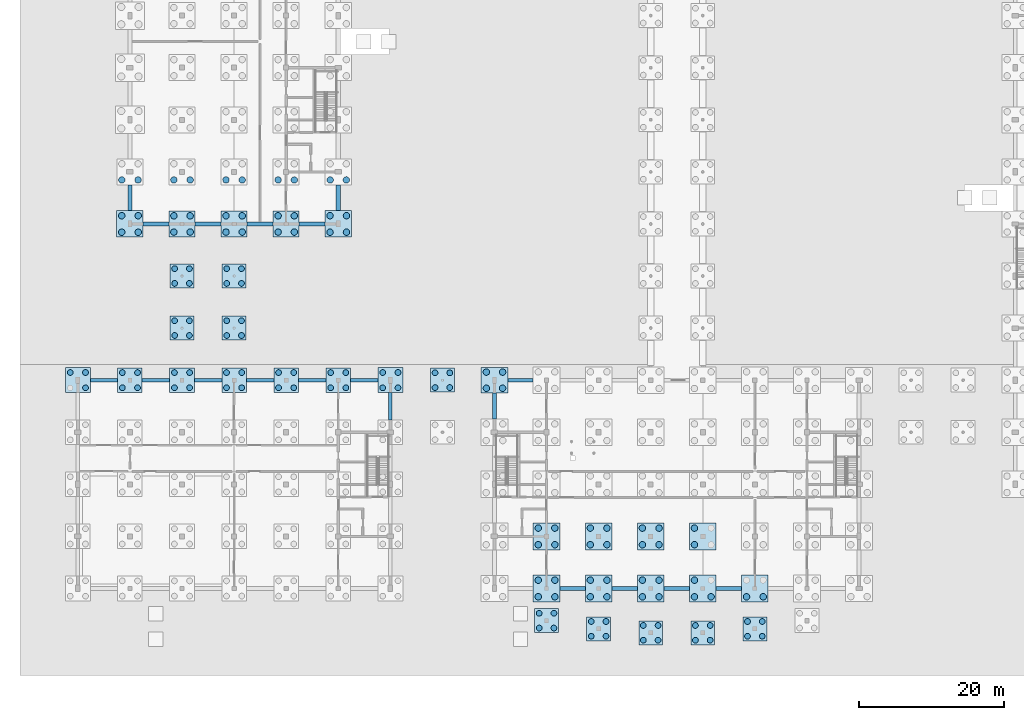
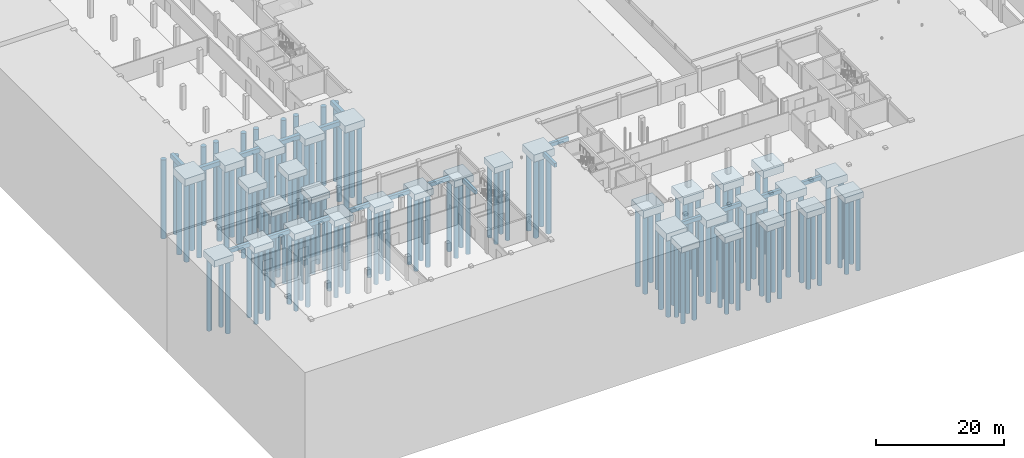
# One storey, part 2 of 51: 132 piles, 51 footings.
"""IFC4 building model written with IfcOpenShell, lengths in metres."""

from ifc_helpers import new_model, si_unit, direction, frame, origin, origin_2d, place, context, subcontext, project, spatial, rectangle, circle, extrude, material, material_profile, profile_set, type_object, element, save


model = new_model("IFC4")

# Units and contexts
model_context = context("Model", 3, precision=1e-05, world=origin(), true_north=direction((0.0, 1.0)))
body_context = subcontext(model_context, "Body", "Model", "MODEL_VIEW")
ifc_project = project(units=[si_unit("LENGTHUNIT", "METRE"), si_unit("AREAUNIT", "SQUARE_METRE"), si_unit("VOLUMEUNIT", "CUBIC_METRE"), si_unit("PLANEANGLEUNIT", "RADIAN"), si_unit("MASSUNIT", "GRAM", prefix="KILO")], contexts=[model_context])

# Site, building, storey
site_placement = place(None, origin())
site = spatial("IfcSite", under=ifc_project, at=site_placement, CompositionType="ELEMENT")
building_placement = place(site_placement, origin())
building = spatial("IfcBuilding", under=site, at=building_placement, Name="Zlatovets Crest Museum", CompositionType="ELEMENT")
storey_placement = place(building_placement, frame((0.0, 0.0, -4.5)))
storey = spatial("IfcBuildingStorey", under=building, at=storey_placement, Name="B1", CompositionType="ELEMENT", Elevation=-4.5)

# Piles
ifc_material = material(Name="Concrete C35/45", Category="concrete")
ifc_material_profile_1 = material_profile(ifc_material, circle(Radius=0.39990234375, at=origin_2d()), Name="PILE D800")
ifc_profile_set_1 = profile_set([ifc_material_profile_1], Name="Concrete C35/45")
pile_type_1 = type_object("IfcPileType", Name="BoredPile_PL-01", PredefinedType="BORED", material=ifc_profile_set_1)
for number, where, z_axis, x_axis, name in (
    (1, (-1.06005859375, 29.860107421875, -1.5), (0.0, 0.0, -1.0), (1.0, 0.0, 0.0), "Bored pile PL-01 V3-X00Y04.2"),
    (2, (1.06005859375, 27.739990234375, -1.5), (0.0, 0.0, -1.0), (1.0, 0.0, 0.0), "Bored pile PL-01 V3-X00Y04.3"),
    (3, (1.06005859375, 29.860107421875, -1.5), (0.0, 0.0, -1.0), (1.0, 0.0, 0.0), "Bored pile PL-01 V3-X00Y04.4"),
    (4, (6.14990234375, 27.75, -1.449951171875), (0.0, 0.0, -1.0), (1.0, 0.0, 0.0), "Bored pile PL-01 V3-X01Y04.1"),
    (5, (6.14990234375, 29.85009765625, -1.449951171875), (0.0, 0.0, -1.0), (1.0, 0.0, 0.0), "Bored pile PL-01 V3-X01Y04.2"),
    (6, (8.25, 27.75, -1.449951171875), (0.0, 0.0, -1.0), (1.0, 0.0, 0.0), "Bored pile PL-01 V3-X01Y04.3"),
    (7, (8.25, 29.85009765625, -1.449951171875), (0.0, 0.0, -1.0), (1.0, 0.0, 0.0), "Bored pile PL-01 V3-X01Y04.4"),
    (8, (13.35009765625, 27.75, -1.449951171875), (0.0, 0.0, -1.0), (1.0, 0.0, 0.0), "Bored pile PL-01 V3-X02Y04.1"),
    (9, (13.35009765625, 29.85009765625, -1.449951171875), (0.0, 0.0, -1.0), (1.0, 0.0, 0.0), "Bored pile PL-01 V3-X02Y04.2"),
    (10, (15.449951171875, 27.75, -1.449951171875), (0.0, 0.0, -1.0), (1.0, 0.0, 0.0), "Bored pile PL-01 V3-X02Y04.3"),
    (11, (15.449951171875, 29.85009765625, -1.449951171875), (0.0, 0.0, -1.0), (1.0, 0.0, 0.0), "Bored pile PL-01 V3-X02Y04.4"),
    (12, (20.550048828125, 27.75, -1.449951171875), (0.0, 0.0, -1.0), (1.0, 0.0, 0.0), "Bored pile PL-01 V3-X03Y04.1"),
    (13, (20.550048828125, 29.85009765625, -1.449951171875), (0.0, 0.0, -1.0), (1.0, 0.0, 0.0), "Bored pile PL-01 V3-X03Y04.2"),
    (14, (22.64990234375, 27.75, -1.449951171875), (0.0, 0.0, -1.0), (1.0, 0.0, 0.0), "Bored pile PL-01 V3-X03Y04.3"),
    (15, (22.64990234375, 29.85009765625, -1.449951171875), (0.0, 0.0, -1.0), (1.0, 0.0, 0.0), "Bored pile PL-01 V3-X03Y04.4"),
    (16, (27.75, 27.75, -1.449951171875), (0.0, 0.0, -1.0), (1.0, 0.0, 0.0), "Bored pile PL-01 V3-X04Y04.1"),
    (17, (27.75, 29.85009765625, -1.449951171875), (0.0, 0.0, -1.0), (1.0, 0.0, 0.0), "Bored pile PL-01 V3-X04Y04.2"),
    (18, (29.85009765625, 27.75, -1.449951171875), (0.0, 0.0, -1.0), (1.0, 0.0, 0.0), "Bored pile PL-01 V3-X04Y04.3"),
    (19, (29.85009765625, 29.85009765625, -1.449951171875), (0.0, 0.0, -1.0), (1.0, 0.0, 0.0), "Bored pile PL-01 V3-X04Y04.4"),
    (20, (34.949951171875, 27.75, -1.449951171875), (0.0, 0.0, -1.0), (1.0, 0.0, 0.0), "Bored pile PL-01 V3-X05Y04.1"),
    (21, (34.949951171875, 29.85009765625, -1.449951171875), (0.0, 0.0, -1.0), (1.0, 0.0, 0.0), "Bored pile PL-01 V3-X05Y04.2"),
    (22, (37.050048828125, 27.75, -1.449951171875), (0.0, 0.0, -1.0), (1.0, 0.0, 0.0), "Bored pile PL-01 V3-X05Y04.3"),
    (23, (37.050048828125, 29.85009765625, -1.449951171875), (0.0, 0.0, -1.0), (1.0, 0.0, 0.0), "Bored pile PL-01 V3-X05Y04.4"),
    (24, (42.139892578125, 27.739990234375, -1.5), (0.0, 0.0, -1.0), (1.0, 0.0, 0.0), "Bored pile PL-01 V3-X06Y04.1"),
    (25, (42.139892578125, 29.860107421875, -1.5), (0.0, 0.0, -1.0), (1.0, 0.0, 0.0), "Bored pile PL-01 V3-X06Y04.2"),
    (26, (44.260009765625, 27.739990234375, -1.5), (0.0, 0.0, -1.0), (1.0, 0.0, 0.0), "Bored pile PL-01 V3-X06Y04.3"),
    (27, (44.260009765625, 29.860107421875, -1.5), (0.0, 0.0, -1.0), (1.0, 0.0, 0.0), "Bored pile PL-01 V3-X06Y04.4"),
    (28, (49.3798828125, 27.780029296875, -1.39990234375), (0.0, 0.0, -1.0), (1.0, 0.0, 0.0), "Bored pile PL-01 BR1-S1T1.1"),
    (29, (49.3798828125, 29.820068359375, -1.39990234375), (0.0, 0.0, -1.0), (1.0, 0.0, 0.0), "Bored pile PL-01 BR1-S1T1.2"),
    (30, (51.419921875, 27.780029296875, -1.39990234375), (0.0, 0.0, -1.0), (1.0, 0.0, 0.0), "Bored pile PL-01 BR1-S1T1.3"),
    (31, (51.419921875, 29.820068359375, -1.39990234375), (0.0, 0.0, -1.0), (1.0, 0.0, 0.0), "Bored pile PL-01 BR1-S1T1.4"),
    (32, (13.3798828125, 34.97998046875, -1.39990234375), (0.0, 0.0, -1.0), (1.0, 0.0, 0.0), "Bored pile PL-01 BR2-S1T0.1"),
    (33, (13.3798828125, 37.02001953125, -1.39990234375), (0.0, 0.0, -1.0), (1.0, 0.0, 0.0), "Bored pile PL-01 BR2-S1T0.2"),
    (34, (15.419921875, 34.97998046875, -1.39990234375), (0.0, 0.0, -1.0), (1.0, 0.0, 0.0), "Bored pile PL-01 BR2-S1T0.3"),
    (35, (15.419921875, 37.02001953125, -1.39990234375), (0.0, 0.0, -1.0), (1.0, 0.0, 0.0), "Bored pile PL-01 BR2-S1T0.4"),
    (36, (20.580078125, 34.97998046875, -1.39990234375), (0.0, 0.0, -1.0), (1.0, 0.0, 0.0), "Bored pile PL-01 BR2-S1T1.1"),
    (37, (20.580078125, 37.02001953125, -1.39990234375), (0.0, 0.0, -1.0), (1.0, 0.0, 0.0), "Bored pile PL-01 BR2-S1T1.2"),
    (38, (22.6201171875, 34.97998046875, -1.39990234375), (0.0, 0.0, -1.0), (1.0, 0.0, 0.0), "Bored pile PL-01 BR2-S1T1.3"),
    (39, (22.6201171875, 37.02001953125, -1.39990234375), (0.0, 0.0, -1.0), (1.0, 0.0, 0.0), "Bored pile PL-01 BR2-S1T1.4"),
    (40, (13.3798828125, 42.179931640625, -1.39990234375), (0.0, 0.0, -1.0), (1.0, 0.0, 0.0), "Bored pile PL-01 BR2-S2T0.1"),
    (41, (13.3798828125, 44.219970703125, -1.39990234375), (0.0, 0.0, -1.0), (1.0, 0.0, 0.0), "Bored pile PL-01 BR2-S2T0.2"),
    (42, (15.419921875, 42.179931640625, -1.39990234375), (0.0, 0.0, -1.0), (1.0, 0.0, 0.0), "Bored pile PL-01 BR2-S2T0.3"),
    (43, (15.419921875, 44.219970703125, -1.39990234375), (0.0, 0.0, -1.0), (1.0, 0.0, 0.0), "Bored pile PL-01 BR2-S2T0.4"),
    (44, (20.580078125, 42.179931640625, -1.39990234375), (0.0, 0.0, -1.0), (1.0, 0.0, 0.0), "Bored pile PL-01 BR2-S2T1.1"),
    (45, (20.580078125, 44.219970703125, -1.39990234375), (0.0, 0.0, -1.0), (1.0, 0.0, 0.0), "Bored pile PL-01 BR2-S2T1.2"),
    (46, (22.6201171875, 42.179931640625, -1.39990234375), (0.0, 0.0, -1.0), (1.0, 0.0, 0.0), "Bored pile PL-01 BR2-S2T1.3"),
    (47, (22.6201171875, 44.219970703125, -1.39990234375), (0.0, 0.0, -1.0), (1.0, 0.0, 0.0), "Bored pile PL-01 BR2-S2T1.4"),
    (48, (63.780029296875, -5.468505859375, -1.39990234375), (0.0, 0.0, -1.0), (1.0, 0.0, 0.0), "Bored pile PL-01 CAN-64.8.1"),
    (49, (63.780029296875, -3.4287109375, -1.39990234375), (0.0, 0.0, -1.0), (1.0, 0.0, 0.0), "Bored pile PL-01 CAN-64.8.2"),
    (50, (65.820068359375, -5.468505859375, -1.39990234375), (0.0, 0.0, -1.0), (1.0, 0.0, 0.0), "Bored pile PL-01 CAN-64.8.3"),
    (51, (65.820068359375, -3.4287109375, -1.39990234375), (0.0, 0.0, -1.0), (1.0, 0.0, 0.0), "Bored pile PL-01 CAN-64.8.4"),
    (52, (70.97998046875, -6.6044921875, -1.39990234375), (0.0, 0.0, -1.0), (1.0, 0.0, 0.0), "Bored pile PL-01 CAN-72.0.1"),
    (53, (70.97998046875, -4.564697265625, -1.39990234375), (0.0, 0.0, -1.0), (1.0, 0.0, 0.0), "Bored pile PL-01 CAN-72.0.2"),
    (54, (73.02001953125, -6.6044921875, -1.39990234375), (0.0, 0.0, -1.0), (1.0, 0.0, 0.0), "Bored pile PL-01 CAN-72.0.3"),
    (55, (73.02001953125, -4.564697265625, -1.39990234375), (0.0, 0.0, -1.0), (1.0, 0.0, 0.0), "Bored pile PL-01 CAN-72.0.4"),
    (56, (78.179931640625, -7.15234375, -1.39990234375), (0.0, 0.0, -1.0), (1.0, 0.0, 0.0), "Bored pile PL-01 CAN-79.2.1"),
    (57, (78.179931640625, -5.1123046875, -1.39990234375), (0.0, 0.0, -1.0), (1.0, 0.0, 0.0), "Bored pile PL-01 CAN-79.2.2"),
    (58, (80.219970703125, -7.15234375, -1.39990234375), (0.0, 0.0, -1.0), (1.0, 0.0, 0.0), "Bored pile PL-01 CAN-79.2.3"),
    (59, (80.219970703125, -5.1123046875, -1.39990234375), (0.0, 0.0, -1.0), (1.0, 0.0, 0.0), "Bored pile PL-01 CAN-79.2.4"),
    (60, (85.3798828125, -7.15234375, -1.39990234375), (0.0, 0.0, -1.0), (1.0, 0.0, 0.0), "Bored pile PL-01 CAN-86.4.1"),
    (61, (85.3798828125, -5.1123046875, -1.39990234375), (0.0, 0.0, -1.0), (1.0, 0.0, 0.0), "Bored pile PL-01 CAN-86.4.2"),
    (62, (87.419921875, -7.15234375, -1.39990234375), (0.0, 0.0, -1.0), (1.0, 0.0, 0.0), "Bored pile PL-01 CAN-86.4.3"),
    (63, (87.419921875, -5.1123046875, -1.39990234375), (0.0, 0.0, -1.0), (1.0, 0.0, 0.0), "Bored pile PL-01 CAN-86.4.4"),
    (64, (92.580078125, -6.6044921875, -1.39990234375), (0.0, 0.0, -1.0), (1.0, 0.0, 0.0), "Bored pile PL-01 CAN-93.6.1"),
    (65, (92.580078125, -4.564697265625, -1.39990234375), (0.0, 0.0, -1.0), (1.0, 0.0, 0.0), "Bored pile PL-01 CAN-93.6.2"),
    (66, (94.6201171875, -6.6044921875, -1.39990234375), (0.0, 0.0, -1.0), (1.0, 0.0, 0.0), "Bored pile PL-01 CAN-93.6.3"),
    (67, (94.6201171875, -4.564697265625, -1.39990234375), (0.0, 0.0, -1.0), (1.0, 0.0, 0.0), "Bored pile PL-01 CAN-93.6.4"),
):
    element("IfcPile", number, at=place(storey_placement, frame(where, z_axis=z_axis, x_axis=x_axis)), inside=storey, type_object=pile_type_1, Name=name, PredefinedType="BORED", context=body_context, shape_type="SweptSolid", body=[
        extrude(circle(Radius=0.39990234375, at=origin_2d()), origin(), (0.0, 0.0, 1.0), 14.0),
    ])
ifc_material_profile_2 = material_profile(ifc_material, circle(Radius=0.449951171875, at=origin_2d()), Name="PILE D900")
ifc_profile_set_2 = profile_set([ifc_material_profile_2], Name="Concrete C35/45")
pile_type_2 = type_object("IfcPileType", Name="BoredPile_PL-02", PredefinedType="BORED", material=ifc_profile_set_2)
for number, where, z_axis, x_axis, name in (
    (68, (56.47998046875, 27.679931640625, -1.60009765625), (0.0, 0.0, -1.0), (1.0, 0.0, 0.0), "Bored pile PL-02 V2-X00Y04.1"),
    (69, (56.47998046875, 29.919921875, -1.60009765625), (0.0, 0.0, -1.0), (1.0, 0.0, 0.0), "Bored pile PL-02 V2-X00Y04.2"),
    (70, (58.719970703125, 27.679931640625, -1.60009765625), (0.0, 0.0, -1.0), (1.0, 0.0, 0.0), "Bored pile PL-02 V2-X00Y04.3"),
    (71, (58.719970703125, 29.919921875, -1.60009765625), (0.0, 0.0, -1.0), (1.0, 0.0, 0.0), "Bored pile PL-02 V2-X00Y04.4"),
    (72, (63.64990234375, -1.14990234375, -1.64990234375), (0.0, 0.0, -1.0), (1.0, 0.0, 0.0), "Bored pile PL-02 V2-X01Y00.1"),
    (73, (63.64990234375, 1.14990234375, -1.64990234375), (0.0, 0.0, -1.0), (1.0, 0.0, 0.0), "Bored pile PL-02 V2-X01Y00.2"),
    (74, (65.949951171875, -1.14990234375, -1.64990234375), (0.0, 0.0, -1.0), (1.0, 0.0, 0.0), "Bored pile PL-02 V2-X01Y00.3"),
    (75, (65.949951171875, 1.14990234375, -1.64990234375), (0.0, 0.0, -1.0), (1.0, 0.0, 0.0), "Bored pile PL-02 V2-X01Y00.4"),
    (76, (63.64990234375, 6.050048828125, -1.64990234375), (0.0, 0.0, -1.0), (1.0, 0.0, 0.0), "Bored pile PL-02 V2-X01Y01.1"),
    (77, (63.64990234375, 8.35009765625, -1.64990234375), (0.0, 0.0, -1.0), (1.0, 0.0, 0.0), "Bored pile PL-02 V2-X01Y01.2"),
    (78, (65.949951171875, 6.050048828125, -1.64990234375), (0.0, 0.0, -1.0), (1.0, 0.0, 0.0), "Bored pile PL-02 V2-X01Y01.3"),
    (79, (65.949951171875, 8.35009765625, -1.64990234375), (0.0, 0.0, -1.0), (1.0, 0.0, 0.0), "Bored pile PL-02 V2-X01Y01.4"),
    (80, (70.85009765625, -1.14990234375, -1.64990234375), (0.0, 0.0, -1.0), (1.0, 0.0, 0.0), "Bored pile PL-02 V2-X02Y00.1"),
    (81, (70.85009765625, 1.14990234375, -1.64990234375), (0.0, 0.0, -1.0), (1.0, 0.0, 0.0), "Bored pile PL-02 V2-X02Y00.2"),
    (82, (73.14990234375, -1.14990234375, -1.64990234375), (0.0, 0.0, -1.0), (1.0, 0.0, 0.0), "Bored pile PL-02 V2-X02Y00.3"),
    (83, (73.14990234375, 1.14990234375, -1.64990234375), (0.0, 0.0, -1.0), (1.0, 0.0, 0.0), "Bored pile PL-02 V2-X02Y00.4"),
    (84, (70.85009765625, 6.050048828125, -1.64990234375), (0.0, 0.0, -1.0), (1.0, 0.0, 0.0), "Bored pile PL-02 V2-X02Y01.1"),
    (85, (70.85009765625, 8.35009765625, -1.64990234375), (0.0, 0.0, -1.0), (1.0, 0.0, 0.0), "Bored pile PL-02 V2-X02Y01.2"),
    (86, (73.14990234375, 6.050048828125, -1.64990234375), (0.0, 0.0, -1.0), (1.0, 0.0, 0.0), "Bored pile PL-02 V2-X02Y01.3"),
    (87, (73.14990234375, 8.35009765625, -1.64990234375), (0.0, 0.0, -1.0), (1.0, 0.0, 0.0), "Bored pile PL-02 V2-X02Y01.4"),
    (88, (78.050048828125, -1.14990234375, -1.64990234375), (0.0, 0.0, -1.0), (1.0, 0.0, 0.0), "Bored pile PL-02 V2-X03Y00.1"),
    (89, (78.050048828125, 1.14990234375, -1.64990234375), (0.0, 0.0, -1.0), (1.0, 0.0, 0.0), "Bored pile PL-02 V2-X03Y00.2"),
    (90, (80.35009765625, -1.14990234375, -1.64990234375), (0.0, 0.0, -1.0), (1.0, 0.0, 0.0), "Bored pile PL-02 V2-X03Y00.3"),
    (91, (80.35009765625, 1.14990234375, -1.64990234375), (0.0, 0.0, -1.0), (1.0, 0.0, 0.0), "Bored pile PL-02 V2-X03Y00.4"),
    (92, (78.050048828125, 6.050048828125, -1.64990234375), (0.0, 0.0, -1.0), (1.0, 0.0, 0.0), "Bored pile PL-02 V2-X03Y01.1"),
    (93, (78.050048828125, 8.35009765625, -1.64990234375), (0.0, 0.0, -1.0), (1.0, 0.0, 0.0), "Bored pile PL-02 V2-X03Y01.2"),
    (94, (80.35009765625, 6.050048828125, -1.64990234375), (0.0, 0.0, -1.0), (1.0, 0.0, 0.0), "Bored pile PL-02 V2-X03Y01.3"),
    (95, (80.35009765625, 8.35009765625, -1.64990234375), (0.0, 0.0, -1.0), (1.0, 0.0, 0.0), "Bored pile PL-02 V2-X03Y01.4"),
    (96, (85.25, -1.14990234375, -1.64990234375), (0.0, 0.0, -1.0), (1.0, 0.0, 0.0), "Bored pile PL-02 V2-X04Y00.1"),
    (97, (85.25, 1.14990234375, -1.64990234375), (0.0, 0.0, -1.0), (1.0, 0.0, 0.0), "Bored pile PL-02 V2-X04Y00.2"),
    (98, (87.550048828125, -1.14990234375, -1.64990234375), (0.0, 0.0, -1.0), (1.0, 0.0, 0.0), "Bored pile PL-02 V2-X04Y00.3"),
    (99, (85.25, 6.050048828125, -1.64990234375), (0.0, 0.0, -1.0), (1.0, 0.0, 0.0), "Bored pile PL-02 V2-X04Y01.1"),
    (100, (85.25, 8.35009765625, -1.64990234375), (0.0, 0.0, -1.0), (1.0, 0.0, 0.0), "Bored pile PL-02 V2-X04Y01.2"),
    (101, (92.449951171875, -1.14990234375, -1.64990234375), (0.0, 0.0, -1.0), (1.0, 0.0, 0.0), "Bored pile PL-02 V2-X05Y00.1"),
    (102, (94.75, -1.14990234375, -1.64990234375), (0.0, 0.0, -1.0), (1.0, 0.0, 0.0), "Bored pile PL-02 V2-X05Y00.3"),
    (103, (6.06005859375, 49.260009765625, -1.60009765625), (0.0, 0.0, -1.0), (1.0, 0.0, 0.0), "Bored pile PL-02 V4-X00Y00.1"),
    (104, (6.06005859375, 51.5400390625, -1.60009765625), (0.0, 0.0, -1.0), (1.0, 0.0, 0.0), "Bored pile PL-02 V4-X00Y00.2"),
    (105, (8.340087890625, 49.260009765625, -1.60009765625), (0.0, 0.0, -1.0), (1.0, 0.0, 0.0), "Bored pile PL-02 V4-X00Y00.3"),
    (106, (8.340087890625, 51.5400390625, -1.60009765625), (0.0, 0.0, -1.0), (1.0, 0.0, 0.0), "Bored pile PL-02 V4-X00Y00.4"),
    (107, (6.080078125, 56.47998046875, -1.550048828125), (0.0, 0.0, -1.0), (1.0, 0.0, 0.0), "Bored pile PL-02 V4-X00Y01.1"),
    (108, (8.320068359375, 56.47998046875, -1.550048828125), (0.0, 0.0, -1.0), (1.0, 0.0, 0.0), "Bored pile PL-02 V4-X00Y01.3"),
    (109, (13.280029296875, 49.280029296875, -1.550048828125), (0.0, 0.0, -1.0), (1.0, 0.0, 0.0), "Bored pile PL-02 V4-X01Y00.1"),
    (110, (13.280029296875, 51.52001953125, -1.550048828125), (0.0, 0.0, -1.0), (1.0, 0.0, 0.0), "Bored pile PL-02 V4-X01Y00.2"),
    (111, (15.52001953125, 49.280029296875, -1.550048828125), (0.0, 0.0, -1.0), (1.0, 0.0, 0.0), "Bored pile PL-02 V4-X01Y00.3"),
    (112, (15.52001953125, 51.52001953125, -1.550048828125), (0.0, 0.0, -1.0), (1.0, 0.0, 0.0), "Bored pile PL-02 V4-X01Y00.4"),
    (113, (13.280029296875, 56.47998046875, -1.550048828125), (0.0, 0.0, -1.0), (1.0, 0.0, 0.0), "Bored pile PL-02 V4-X01Y01.1"),
    (114, (15.52001953125, 56.47998046875, -1.550048828125), (0.0, 0.0, -1.0), (1.0, 0.0, 0.0), "Bored pile PL-02 V4-X01Y01.3"),
    (115, (20.47998046875, 49.280029296875, -1.550048828125), (0.0, 0.0, -1.0), (1.0, 0.0, 0.0), "Bored pile PL-02 V4-X02Y00.1"),
    (116, (20.47998046875, 51.52001953125, -1.550048828125), (0.0, 0.0, -1.0), (1.0, 0.0, 0.0), "Bored pile PL-02 V4-X02Y00.2"),
    (117, (22.719970703125, 49.280029296875, -1.550048828125), (0.0, 0.0, -1.0), (1.0, 0.0, 0.0), "Bored pile PL-02 V4-X02Y00.3"),
    (118, (22.719970703125, 51.52001953125, -1.550048828125), (0.0, 0.0, -1.0), (1.0, 0.0, 0.0), "Bored pile PL-02 V4-X02Y00.4"),
    (119, (20.47998046875, 56.47998046875, -1.550048828125), (0.0, 0.0, -1.0), (1.0, 0.0, 0.0), "Bored pile PL-02 V4-X02Y01.1"),
    (120, (22.719970703125, 56.47998046875, -1.550048828125), (0.0, 0.0, -1.0), (1.0, 0.0, 0.0), "Bored pile PL-02 V4-X02Y01.3"),
    (121, (27.679931640625, 49.280029296875, -1.550048828125), (0.0, 0.0, -1.0), (1.0, 0.0, 0.0), "Bored pile PL-02 V4-X03Y00.1"),
    (122, (27.679931640625, 51.52001953125, -1.550048828125), (0.0, 0.0, -1.0), (1.0, 0.0, 0.0), "Bored pile PL-02 V4-X03Y00.2"),
    (123, (29.919921875, 49.280029296875, -1.550048828125), (0.0, 0.0, -1.0), (1.0, 0.0, 0.0), "Bored pile PL-02 V4-X03Y00.3"),
    (124, (29.919921875, 51.52001953125, -1.550048828125), (0.0, 0.0, -1.0), (1.0, 0.0, 0.0), "Bored pile PL-02 V4-X03Y00.4"),
    (125, (27.679931640625, 56.47998046875, -1.550048828125), (0.0, 0.0, -1.0), (1.0, 0.0, 0.0), "Bored pile PL-02 V4-X03Y01.1"),
    (126, (29.919921875, 56.47998046875, -1.550048828125), (0.0, 0.0, -1.0), (1.0, 0.0, 0.0), "Bored pile PL-02 V4-X03Y01.3"),
    (127, (34.860107421875, 49.260009765625, -1.60009765625), (0.0, 0.0, -1.0), (1.0, 0.0, 0.0), "Bored pile PL-02 V4-X04Y00.1"),
    (128, (34.860107421875, 51.5400390625, -1.60009765625), (0.0, 0.0, -1.0), (1.0, 0.0, 0.0), "Bored pile PL-02 V4-X04Y00.2"),
    (129, (37.139892578125, 49.260009765625, -1.60009765625), (0.0, 0.0, -1.0), (1.0, 0.0, 0.0), "Bored pile PL-02 V4-X04Y00.3"),
    (130, (37.139892578125, 51.5400390625, -1.60009765625), (0.0, 0.0, -1.0), (1.0, 0.0, 0.0), "Bored pile PL-02 V4-X04Y00.4"),
    (131, (34.8798828125, 56.47998046875, -1.550048828125), (0.0, 0.0, -1.0), (1.0, 0.0, 0.0), "Bored pile PL-02 V4-X04Y01.1"),
    (132, (37.1201171875, 56.47998046875, -1.550048828125), (0.0, 0.0, -1.0), (1.0, 0.0, 0.0), "Bored pile PL-02 V4-X04Y01.3"),
):
    element("IfcPile", number, at=place(storey_placement, frame(where, z_axis=z_axis, x_axis=x_axis)), inside=storey, type_object=pile_type_2, Name=name, PredefinedType="BORED", context=body_context, shape_type="SweptSolid", body=[
        extrude(circle(Radius=0.449951171875, at=origin_2d()), origin(), (0.0, 0.0, 1.0), 15.0),
    ])

# Footings
ifc_material_profile_3 = material_profile(ifc_material, rectangle(XDim=0.5, YDim=0.75, at=origin_2d()), Name="RC 500x750")
ifc_profile_set_3 = profile_set([ifc_material_profile_3], Name="Concrete C35/45")
footing_type_1 = type_object("IfcFootingType", Name="GroundBeam_GB-01", PredefinedType="FOOTING_BEAM", material=ifc_profile_set_3)
for number, where, z_axis, x_axis, name in (
    (133, (66.64990234375, 0.0, -0.824951171875), (1.0, 0.0, 0.0), (0.0, 1.0, 0.0), "Ground tie-beam GB-01"),
    (134, (73.85009765625, 0.0, -0.824951171875), (1.0, 0.0, 0.0), (0.0, 1.0, 0.0), "Ground tie-beam GB-01"),
    (135, (81.050048828125, 0.0, -0.824951171875), (1.0, 0.0, 0.0), (0.0, 1.0, 0.0), "Ground tie-beam GB-01"),
    (136, (88.25, 0.0, -0.824951171875), (1.0, 0.0, 0.0), (0.0, 1.0, 0.0), "Ground tie-beam GB-01"),
):
    element("IfcFooting", number, at=place(storey_placement, frame(where, z_axis=z_axis, x_axis=x_axis)), inside=storey, type_object=footing_type_1, Name=name, PredefinedType="FOOTING_BEAM", context=body_context, shape_type="SweptSolid", body=[
        extrude(rectangle(XDim=0.5, YDim=0.75, at=origin_2d()), origin(), (0.0, 0.0, 1.0), 3.5),
    ])
footing_1_placement = place(storey_placement, frame((59.47509765625, 28.800048828125, -0.824951171875), z_axis=(1.0, 0.0, 0.0), x_axis=(0.0, 1.0, 0.0)))
element("IfcFooting", 137, at=footing_1_placement, inside=storey, type_object=footing_type_1, Name="Ground tie-beam GB-01", PredefinedType="FOOTING_BEAM", context=body_context, shape_type="SweptSolid", body=[
    extrude(rectangle(XDim=0.5, YDim=0.75, at=origin_2d()), origin(), (0.0, 0.0, 1.0), 3.474853515625),
])
footing_2_placement = place(storey_placement, frame((57.60009765625, 23.449951171875, -0.824951171875), z_axis=(0.0, 1.0, 0.0), x_axis=(-1.0, 0.0, 0.0)))
element("IfcFooting", 138, at=footing_2_placement, inside=storey, type_object=footing_type_1, Name="Ground tie-beam GB-01", PredefinedType="FOOTING_BEAM", context=body_context, shape_type="SweptSolid", body=[
    extrude(rectangle(XDim=0.5, YDim=0.75, at=origin_2d()), origin(), (0.0, 0.0, 1.0), 3.574951171875),
])
footing_3_placement = place(storey_placement, frame((1.72509765625, 28.800048828125, -0.824951171875), z_axis=(1.0, 0.0, 0.0), x_axis=(0.0, 1.0, 0.0)))
element("IfcFooting", 139, at=footing_3_placement, inside=storey, type_object=footing_type_1, Name="Ground tie-beam GB-01", PredefinedType="FOOTING_BEAM", context=body_context, shape_type="SweptSolid", body=[
    extrude(rectangle(XDim=0.5, YDim=0.75, at=origin_2d()), origin(), (0.0, 0.0, 1.0), 3.77490234375),
])
footing_4_placement = place(storey_placement, frame((8.89990234375, 28.800048828125, -0.824951171875), z_axis=(1.0, 0.0, 0.0), x_axis=(0.0, 1.0, 0.0)))
element("IfcFooting", 140, at=footing_4_placement, inside=storey, type_object=footing_type_1, Name="Ground tie-beam GB-01", PredefinedType="FOOTING_BEAM", context=body_context, shape_type="SweptSolid", body=[
    extrude(rectangle(XDim=0.5, YDim=0.75, at=origin_2d()), origin(), (0.0, 0.0, 1.0), 3.800048828125),
])
footing_5_placement = place(storey_placement, frame((16.10009765625, 28.800048828125, -0.824951171875), z_axis=(1.0, 0.0, 0.0), x_axis=(0.0, 1.0, 0.0)))
element("IfcFooting", 141, at=footing_5_placement, inside=storey, type_object=footing_type_1, Name="Ground tie-beam GB-01", PredefinedType="FOOTING_BEAM", context=body_context, shape_type="SweptSolid", body=[
    extrude(rectangle(XDim=0.5, YDim=0.75, at=origin_2d()), origin(), (0.0, 0.0, 1.0), 3.7998046875),
])
for number, where, z_axis, x_axis, name in (
    (142, (23.300048828125, 28.800048828125, -0.824951171875), (1.0, 0.0, 0.0), (0.0, 1.0, 0.0), "Ground tie-beam GB-01"),
    (143, (30.5, 28.800048828125, -0.824951171875), (1.0, 0.0, 0.0), (0.0, 1.0, 0.0), "Ground tie-beam GB-01"),
):
    element("IfcFooting", number, at=place(storey_placement, frame(where, z_axis=z_axis, x_axis=x_axis)), inside=storey, type_object=footing_type_1, Name=name, PredefinedType="FOOTING_BEAM", context=body_context, shape_type="SweptSolid", body=[
        extrude(rectangle(XDim=0.5, YDim=0.75, at=origin_2d()), origin(), (0.0, 0.0, 1.0), 3.800048828125),
    ])
footing_6_placement = place(storey_placement, frame((37.699951171875, 28.800048828125, -0.824951171875), z_axis=(1.0, 0.0, 0.0), x_axis=(0.0, 1.0, 0.0)))
element("IfcFooting", 144, at=footing_6_placement, inside=storey, type_object=footing_type_1, Name="Ground tie-beam GB-01", PredefinedType="FOOTING_BEAM", context=body_context, shape_type="SweptSolid", body=[
    extrude(rectangle(XDim=0.5, YDim=0.75, at=origin_2d()), origin(), (0.0, 0.0, 1.0), 3.775146484375),
])
footing_7_placement = place(storey_placement, frame((43.199951171875, 23.300048828125, -0.824951171875), z_axis=(0.0, 1.0, 0.0), x_axis=(-1.0, 0.0, 0.0)))
element("IfcFooting", 145, at=footing_7_placement, inside=storey, type_object=footing_type_1, Name="Ground tie-beam GB-01", PredefinedType="FOOTING_BEAM", context=body_context, shape_type="SweptSolid", body=[
    extrude(rectangle(XDim=0.5, YDim=0.75, at=origin_2d()), origin(), (0.0, 0.0, 1.0), 3.77490234375),
])
ifc_material_profile_4 = material_profile(ifc_material, rectangle(XDim=0.60009765625, YDim=0.85009765625, at=origin_2d()), Name="RC 600x850")
ifc_profile_set_4 = profile_set([ifc_material_profile_4], Name="Concrete C35/45")
footing_type_2 = type_object("IfcFootingType", Name="GroundBeam_GB-02", PredefinedType="FOOTING_BEAM", material=ifc_profile_set_4)
footing_8_placement = place(storey_placement, frame((9.02490234375, 50.39990234375, -0.875), z_axis=(1.0, 0.0, 0.0), x_axis=(0.0, 1.0, 0.0)))
element("IfcFooting", 146, at=footing_8_placement, inside=storey, type_object=footing_type_2, Name="Ground tie-beam GB-02", PredefinedType="FOOTING_BEAM", context=body_context, shape_type="SweptSolid", body=[
    extrude(rectangle(XDim=0.60009765625, YDim=0.85009765625, at=origin_2d()), origin(), (0.0, 0.0, 1.0), 3.5751953125),
])
for number, where, z_axis, x_axis, name in (
    (147, (16.199951171875, 50.39990234375, -0.875), (1.0, 0.0, 0.0), (0.0, 1.0, 0.0), "Ground tie-beam GB-02"),
    (148, (23.39990234375, 50.39990234375, -0.875), (1.0, 0.0, 0.0), (0.0, 1.0, 0.0), "Ground tie-beam GB-02"),
):
    element("IfcFooting", number, at=place(storey_placement, frame(where, z_axis=z_axis, x_axis=x_axis)), inside=storey, type_object=footing_type_2, Name=name, PredefinedType="FOOTING_BEAM", context=body_context, shape_type="SweptSolid", body=[
        extrude(rectangle(XDim=0.60009765625, YDim=0.85009765625, at=origin_2d()), origin(), (0.0, 0.0, 1.0), 3.60009765625),
    ])
for number, where, z_axis, x_axis, name in (
    (149, (30.60009765625, 50.39990234375, -0.875), (1.0, 0.0, 0.0), (0.0, 1.0, 0.0), "Ground tie-beam GB-02"),
    (150, (7.199951171875, 52.22509765625, -0.875), (0.0, 1.0, 0.0), (-1.0, 0.0, 0.0), "Ground tie-beam GB-02"),
    (151, (36.0, 52.22509765625, -0.875), (0.0, 1.0, 0.0), (-1.0, 0.0, 0.0), "Ground tie-beam GB-02"),
):
    element("IfcFooting", number, at=place(storey_placement, frame(where, z_axis=z_axis, x_axis=x_axis)), inside=storey, type_object=footing_type_2, Name=name, PredefinedType="FOOTING_BEAM", context=body_context, shape_type="SweptSolid", body=[
        extrude(rectangle(XDim=0.60009765625, YDim=0.85009765625, at=origin_2d()), origin(), (0.0, 0.0, 1.0), 3.574951171875),
    ])
footing_type_3 = type_object("IfcFootingType", Name="PileCap_PC-01", PredefinedType="PILE_CAP", material=ifc_material)
for number, where, z_axis, x_axis, name in (
    (152, (7.199951171875, 28.800048828125, -1.64990234375), (0.0, 0.0, 1.0), (1.0, 0.0, 0.0), "Pile cap PC-01 at (7.2, 28.8)"),
    (153, (14.39990234375, 28.800048828125, -1.64990234375), (0.0, 0.0, 1.0), (1.0, 0.0, 0.0), "Pile cap PC-01 at (14.4, 28.8)"),
    (154, (21.60009765625, 28.800048828125, -1.64990234375), (0.0, 0.0, 1.0), (1.0, 0.0, 0.0), "Pile cap PC-01 at (21.6, 28.8)"),
    (155, (28.800048828125, 28.800048828125, -1.64990234375), (0.0, 0.0, 1.0), (1.0, 0.0, 0.0), "Pile cap PC-01 at (28.8, 28.8)"),
    (156, (36.0, 28.800048828125, -1.64990234375), (0.0, 0.0, 1.0), (1.0, 0.0, 0.0), "Pile cap PC-01 at (36.0, 28.8)"),
):
    element("IfcFooting", number, at=place(storey_placement, frame(where, z_axis=z_axis, x_axis=x_axis)), inside=storey, type_object=footing_type_3, Name=name, PredefinedType="PILE_CAP", context=body_context, shape_type="SweptSolid", body=[
        extrude(rectangle(XDim=3.39990234375, YDim=3.39990234375, at=origin_2d()), origin(), (0.0, 0.0, 1.0), 1.199951171875),
    ])
footing_type_4 = type_object("IfcFootingType", Name="PileCap_PC-02", PredefinedType="PILE_CAP", material=ifc_material)
for number, where, z_axis, x_axis, name in (
    (157, (14.39990234375, 50.39990234375, -1.75), (0.0, 0.0, 1.0), (1.0, 0.0, 0.0), "Pile cap PC-02 at (14.4, 50.4)"),
    (158, (21.60009765625, 50.39990234375, -1.75), (0.0, 0.0, 1.0), (1.0, 0.0, 0.0), "Pile cap PC-02 at (21.6, 50.4)"),
    (159, (28.800048828125, 50.39990234375, -1.75), (0.0, 0.0, 1.0), (1.0, 0.0, 0.0), "Pile cap PC-02 at (28.8, 50.4)"),
):
    element("IfcFooting", number, at=place(storey_placement, frame(where, z_axis=z_axis, x_axis=x_axis)), inside=storey, type_object=footing_type_4, Name=name, PredefinedType="PILE_CAP", context=body_context, shape_type="SweptSolid", body=[
        extrude(rectangle(XDim=3.60009765625, YDim=3.60009765625, at=origin_2d()), origin(), (0.0, 0.0, 1.0), 1.300048828125),
    ])
footing_type_5 = type_object("IfcFootingType", Name="PileCap_PC-03", PredefinedType="PILE_CAP", material=ifc_material)
for number, where, z_axis, x_axis, name in (
    (160, (64.800048828125, 0.0, -1.849853515625), (0.0, 0.0, 1.0), (1.0, 0.0, 0.0), "Pile cap PC-03 at (64.8, 0.0)"),
    (161, (64.800048828125, 7.199951171875, -1.849853515625), (0.0, 0.0, 1.0), (1.0, 0.0, 0.0), "Pile cap PC-03 at (64.8, 7.2)"),
    (162, (72.0, 0.0, -1.849853515625), (0.0, 0.0, 1.0), (1.0, 0.0, 0.0), "Pile cap PC-03 at (72.0, 0.0)"),
    (163, (72.0, 7.199951171875, -1.849853515625), (0.0, 0.0, 1.0), (1.0, 0.0, 0.0), "Pile cap PC-03 at (72.0, 7.2)"),
    (164, (79.199951171875, 0.0, -1.849853515625), (0.0, 0.0, 1.0), (1.0, 0.0, 0.0), "Pile cap PC-03 at (79.2, 0.0)"),
    (165, (79.199951171875, 7.199951171875, -1.849853515625), (0.0, 0.0, 1.0), (1.0, 0.0, 0.0), "Pile cap PC-03 at (79.2, 7.2)"),
    (166, (86.39990234375, 0.0, -1.849853515625), (0.0, 0.0, 1.0), (1.0, 0.0, 0.0), "Pile cap PC-03 at (86.4, 0.0)"),
    (167, (86.39990234375, 7.199951171875, -1.849853515625), (0.0, 0.0, 1.0), (1.0, 0.0, 0.0), "Pile cap PC-03 at (86.4, 7.2)"),
    (168, (93.60009765625, 0.0, -1.849853515625), (0.0, 0.0, 1.0), (1.0, 0.0, 0.0), "Pile cap PC-03 at (93.6, 0.0)"),
):
    element("IfcFooting", number, at=place(storey_placement, frame(where, z_axis=z_axis, x_axis=x_axis)), inside=storey, type_object=footing_type_5, Name=name, PredefinedType="PILE_CAP", context=body_context, shape_type="SweptSolid", body=[
        extrude(rectangle(XDim=3.699951171875, YDim=3.699951171875, at=origin_2d()), origin(), (0.0, 0.0, 1.0), 1.39990234375),
    ])
footing_type_6 = type_object("IfcFootingType", Name="PileCap_PC-05", PredefinedType="PILE_CAP", material=ifc_material)
for number, where, z_axis, x_axis, name in (
    (169, (50.39990234375, 28.800048828125, -1.599853515625), (0.0, 0.0, 1.0), (1.0, 0.0, 0.0), "Pile cap PC-05 at (50.4, 28.8)"),
    (170, (14.39990234375, 36.0, -1.599853515625), (0.0, 0.0, 1.0), (1.0, 0.0, 0.0), "Pile cap PC-05 at (14.4, 36.0)"),
    (171, (21.60009765625, 36.0, -1.599853515625), (0.0, 0.0, 1.0), (1.0, 0.0, 0.0), "Pile cap PC-05 at (21.6, 36.0)"),
    (172, (14.39990234375, 43.199951171875, -1.599853515625), (0.0, 0.0, 1.0), (1.0, 0.0, 0.0), "Pile cap PC-05 at (14.4, 43.2)"),
    (173, (21.60009765625, 43.199951171875, -1.599853515625), (0.0, 0.0, 1.0), (1.0, 0.0, 0.0), "Pile cap PC-05 at (21.6, 43.2)"),
    (174, (64.800048828125, -4.448486328125, -1.599853515625), (0.0, 0.0, 1.0), (1.0, 0.0, 0.0), "Pile cap PC-05 at (64.8, -4.4)"),
    (175, (72.0, -5.584716796875, -1.599853515625), (0.0, 0.0, 1.0), (1.0, 0.0, 0.0), "Pile cap PC-05 at (72.0, -5.6)"),
    (176, (79.199951171875, -6.13232421875, -1.599853515625), (0.0, 0.0, 1.0), (1.0, 0.0, 0.0), "Pile cap PC-05 at (79.2, -6.1)"),
    (177, (86.39990234375, -6.13232421875, -1.599853515625), (0.0, 0.0, 1.0), (1.0, 0.0, 0.0), "Pile cap PC-05 at (86.4, -6.1)"),
    (178, (93.60009765625, -5.584716796875, -1.599853515625), (0.0, 0.0, 1.0), (1.0, 0.0, 0.0), "Pile cap PC-05 at (93.6, -5.6)"),
):
    element("IfcFooting", number, at=place(storey_placement, frame(where, z_axis=z_axis, x_axis=x_axis)), inside=storey, type_object=footing_type_6, Name=name, PredefinedType="PILE_CAP", context=body_context, shape_type="SweptSolid", body=[
        extrude(rectangle(XDim=3.300048828125, YDim=3.300048828125, at=origin_2d()), origin(), (0.0, 0.0, 1.0), 1.14990234375),
    ])
footing_type_7 = type_object("IfcFootingType", Name="PileCap_PC-07", PredefinedType="PILE_CAP", material=ifc_material)
for number, where, z_axis, x_axis, name in (
    (179, (0.0, 28.800048828125, -1.699951171875), (0.0, 0.0, 1.0), (1.0, 0.0, 0.0), "Pile cap PC-07 at (0.0, 28.8)"),
    (180, (43.199951171875, 28.800048828125, -1.699951171875), (0.0, 0.0, 1.0), (1.0, 0.0, 0.0), "Pile cap PC-07 at (43.2, 28.8)"),
):
    element("IfcFooting", number, at=place(storey_placement, frame(where, z_axis=z_axis, x_axis=x_axis)), inside=storey, type_object=footing_type_7, Name=name, PredefinedType="PILE_CAP", context=body_context, shape_type="SweptSolid", body=[
        extrude(rectangle(XDim=3.449951171875, YDim=3.449951171875, at=origin_2d()), origin(), (0.0, 0.0, 1.0), 1.25),
    ])
footing_type_8 = type_object("IfcFootingType", Name="PileCap_PC-08", PredefinedType="PILE_CAP", material=ifc_material)
for number, where, z_axis, x_axis, name in (
    (181, (7.199951171875, 50.39990234375, -1.800048828125), (0.0, 0.0, 1.0), (1.0, 0.0, 0.0), "Pile cap PC-08 at (7.2, 50.4)"),
    (182, (36.0, 50.39990234375, -1.800048828125), (0.0, 0.0, 1.0), (1.0, 0.0, 0.0), "Pile cap PC-08 at (36.0, 50.4)"),
):
    element("IfcFooting", number, at=place(storey_placement, frame(where, z_axis=z_axis, x_axis=x_axis)), inside=storey, type_object=footing_type_8, Name=name, PredefinedType="PILE_CAP", context=body_context, shape_type="SweptSolid", body=[
        extrude(rectangle(XDim=3.64990234375, YDim=3.64990234375, at=origin_2d()), origin(), (0.0, 0.0, 1.0), 1.35009765625),
    ])
footing_type_9 = type_object("IfcFootingType", Name="PileCap_PC-09", PredefinedType="PILE_CAP", material=ifc_material)
footing_9_placement = place(storey_placement, frame((57.60009765625, 28.800048828125, -1.800048828125), z_axis=(0.0, 0.0, 1.0), x_axis=(1.0, 0.0, 0.0)))
element("IfcFooting", 183, at=footing_9_placement, inside=storey, type_object=footing_type_9, Name="Pile cap PC-09 at (57.6, 28.8)", PredefinedType="PILE_CAP", context=body_context, shape_type="SweptSolid", body=[
    extrude(rectangle(XDim=3.75, YDim=3.550048828125, at=origin_2d()), origin(), (0.0, 0.0, 1.0), 1.35009765625),
])

save(model, "model.ifc")
